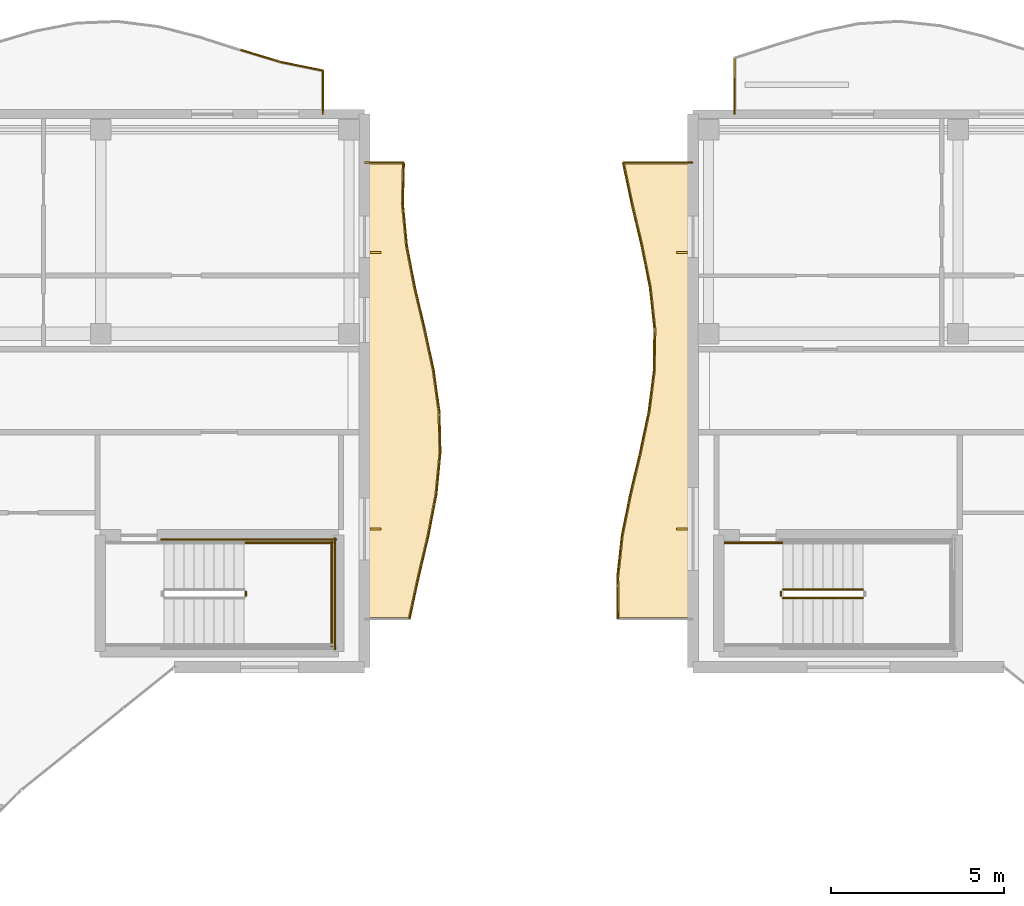
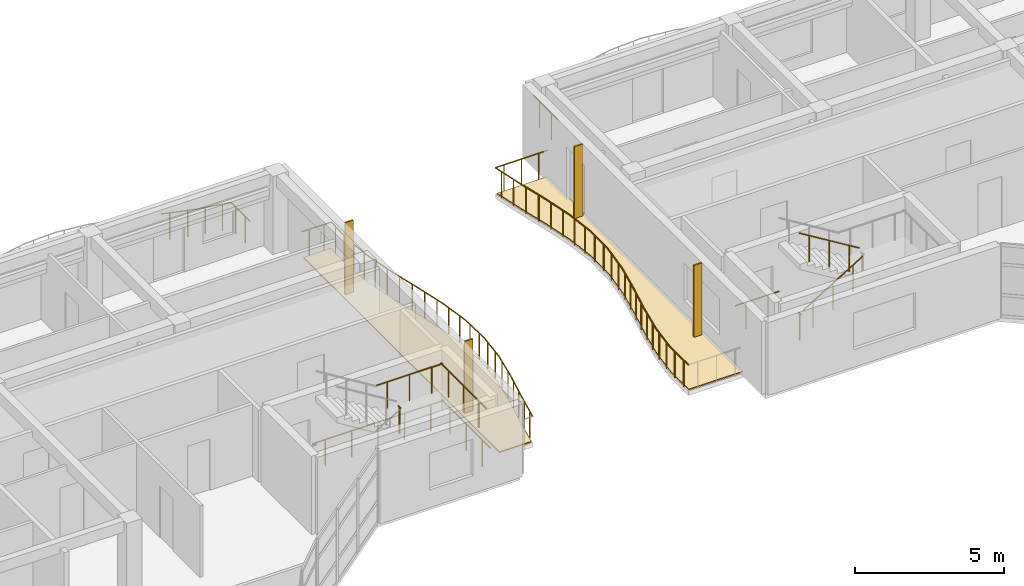
# One storey, part 68 of 71: 37 railings, 4 shading devices, 2 coverings.
"""IFC4 building model written with IfcOpenShell, lengths in metres."""

from ifc_helpers import new_model, si_unit, direction, frame, origin, origin_2d, place, context, subcontext, project, spatial, polyline, rectangle, circle, outline, extrude, material, layer, layer_set, type_object, element, save


model = new_model("IFC4")

# Units and contexts
model_context = context("Model", 3, precision=1e-05, world=origin(), true_north=direction((0.0, 1.0)))
body_context = subcontext(model_context, "Body", "Model", "MODEL_VIEW")
ifc_project = project(units=[si_unit("LENGTHUNIT", "METRE"), si_unit("AREAUNIT", "SQUARE_METRE"), si_unit("VOLUMEUNIT", "CUBIC_METRE"), si_unit("PLANEANGLEUNIT", "RADIAN"), si_unit("MASSUNIT", "GRAM", prefix="KILO")], contexts=[model_context])

# Site, building, storey
site_placement = place(None, origin())
site = spatial("IfcSite", under=ifc_project, at=site_placement, CompositionType="ELEMENT")
building_placement = place(site_placement, origin())
building = spatial("IfcBuilding", under=site, at=building_placement, Name="Keldmere Railside Commons", CompositionType="ELEMENT")
storey_placement = place(building_placement, frame((0.0, 0.0, 20.159912109375)))
storey = spatial("IfcBuildingStorey", under=building, at=storey_placement, Name="L06", CompositionType="ELEMENT", Elevation=20.159912109375)

# Railings
ifc_material_1 = material(Name="Steel F-24 (S235)", Category="steel")
railing_type_1 = type_object("IfcRailingType", Name="Balcony & Terrace Steel Balustrade 1100", PredefinedType="BALUSTRADE", material=ifc_material_1)
railing_1_placement = place(storey_placement, frame((133.9228515625, 117.85791015625, 0.0)))
element("IfcRailing", 1, at=railing_1_placement, inside=storey, type_object=railing_type_1, Name="GR-1 GRD-L06-2533", PredefinedType="BALUSTRADE", context=body_context, shape_type="SweptSolid", body=[
    extrude(circle(Radius=0.02392578125, at=origin_2d()), frame((0.0, 0.0, 1.076171875), z_axis=(0.957793787771, -0.287456188154, 0.0), x_axis=(0.287456188154, 0.957793787771, 0.0)), (0.0, 0.0, 1.0), 1.240966796875),
    extrude(circle(Radius=0.02099609375, at=origin_2d()), frame((0.297119140625, -0.089111328125, 0.0)), (0.0, 0.0, 1.0), 1.048095703125),
    extrude(circle(Radius=0.02099609375, at=origin_2d()), frame((0.891357421875, -0.267578125, 0.0)), (0.0, 0.0, 1.0), 1.048095703125),
])
railing_2_placement = place(storey_placement, frame((135.111328125, 117.501220703125, 0.0)))
element("IfcRailing", 2, at=railing_2_placement, inside=storey, type_object=railing_type_1, Name="GR-1 GRD-L06-2534", PredefinedType="BALUSTRADE", context=body_context, shape_type="SweptSolid", body=[
    extrude(circle(Radius=0.02392578125, at=origin_2d()), frame((0.0, 0.0, 1.076171875), z_axis=(0.980378807714, -0.197122787585, 0.0), x_axis=(0.197122787585, 0.980378807714, 0.0)), (0.0, 0.0, 1.0), 1.21240234375),
    extrude(circle(Radius=0.02099609375, at=origin_2d()), frame((0.297119140625, -0.059814453125, 0.0)), (0.0, 0.0, 1.0), 1.048095703125),
    extrude(circle(Radius=0.02099609375, at=origin_2d()), frame((0.8916015625, -0.17919921875, 0.0)), (0.0, 0.0, 1.0), 1.048095703125),
])
railing_3_placement = place(storey_placement, frame((136.300048828125, 117.26220703125, 0.0)))
element("IfcRailing", 3, at=railing_3_placement, inside=storey, type_object=railing_type_1, Name="GR-1 GRD-L06-2535", PredefinedType="BALUSTRADE", context=body_context, shape_type="SweptSolid", body=[
    extrude(circle(Radius=0.02392578125, at=origin_2d()), frame((0.0, 0.0, 1.076171875), z_axis=(0.0, -1.0, 0.0), x_axis=(1.0, 0.0, 0.0)), (0.0, 0.0, 1.0), 1.26220703125),
    extrude(circle(Radius=0.02099609375, at=origin_2d()), frame((0.0, -0.3154296875, 0.0)), (0.0, 0.0, 1.0), 1.048095703125),
    extrude(circle(Radius=0.02099609375, at=origin_2d()), frame((0.0, -0.94677734375, 0.0)), (0.0, 0.0, 1.0), 1.048095703125),
])
railing_4_placement = place(storey_placement, frame((138.802734375, 101.39990234375, 0.0)))
element("IfcRailing", 4, at=railing_4_placement, inside=storey, type_object=railing_type_1, Name="GR-1 GRD-L06-2592", PredefinedType="BALUSTRADE", context=body_context, shape_type="SweptSolid", body=[
    extrude(circle(Radius=0.02392578125, at=origin_2d()), frame((0.0, 0.0, 1.076171875), z_axis=(0.211538122656, 0.97736974716, 0.0), x_axis=(-0.97736974716, 0.211538122656, 0.0)), (0.0, 0.0, 1.0), 1.22802734375),
    extrude(circle(Radius=0.02099609375, at=origin_2d()), frame((0.06494140625, 0.300048828125, 0.0)), (0.0, 0.0, 1.0), 1.048095703125),
    extrude(circle(Radius=0.02099609375, at=origin_2d()), frame((0.19482421875, 0.900146484375, 0.0)), (0.0, 0.0, 1.0), 1.048095703125),
])
railing_5_placement = place(storey_placement, frame((139.0625, 102.60009765625, 0.0)))
element("IfcRailing", 5, at=railing_5_placement, inside=storey, type_object=railing_type_1, Name="GR-1 GRD-L06-2593", PredefinedType="BALUSTRADE", context=body_context, shape_type="SweptSolid", body=[
    extrude(circle(Radius=0.02392578125, at=origin_2d()), frame((0.0, 0.0, 1.076171875), z_axis=(0.229701506661, 0.973261125206, 0.0), x_axis=(-0.973261125206, 0.229701506661, 0.0)), (0.0, 0.0, 1.0), 1.23291015625),
    extrude(circle(Radius=0.02099609375, at=origin_2d()), frame((0.07080078125, 0.300048828125, 0.0)), (0.0, 0.0, 1.0), 1.048095703125),
    extrude(circle(Radius=0.02099609375, at=origin_2d()), frame((0.21240234375, 0.89990234375, 0.0)), (0.0, 0.0, 1.0), 1.048095703125),
])
railing_6_placement = place(storey_placement, frame((139.345703125, 103.800048828125, 0.0)))
element("IfcRailing", 6, at=railing_6_placement, inside=storey, type_object=railing_type_1, Name="GR-1 GRD-L06-2594", PredefinedType="BALUSTRADE", context=body_context, shape_type="SweptSolid", body=[
    extrude(circle(Radius=0.02392578125, at=origin_2d()), frame((0.0, 0.0, 1.076171875), z_axis=(0.189003006546, 0.981976508638, 0.0), x_axis=(-0.981976508638, 0.189003006546, 0.0)), (0.0, 0.0, 1.0), 1.221923828125),
    extrude(circle(Radius=0.02099609375, at=origin_2d()), frame((0.0576171875, 0.300048828125, 0.0)), (0.0, 0.0, 1.0), 1.048095703125),
    extrude(circle(Radius=0.02099609375, at=origin_2d()), frame((0.17333984375, 0.89990234375, 0.0)), (0.0, 0.0, 1.0), 1.048095703125),
])
railing_7_placement = place(storey_placement, frame((139.57666015625, 105.0, 0.0)))
element("IfcRailing", 7, at=railing_7_placement, inside=storey, type_object=railing_type_1, Name="GR-1 GRD-L06-2595", PredefinedType="BALUSTRADE", context=body_context, shape_type="SweptSolid", body=[
    extrude(circle(Radius=0.02392578125, at=origin_2d()), frame((0.0, 0.0, 1.076171875), z_axis=(0.096596010425, 0.99532367136, 0.0), x_axis=(-0.99532367136, 0.096596010425, 0.0)), (0.0, 0.0, 1.0), 1.20556640625),
    extrude(circle(Radius=0.02099609375, at=origin_2d()), frame((0.029052734375, 0.300048828125, 0.0)), (0.0, 0.0, 1.0), 1.048095703125),
    extrude(circle(Radius=0.02099609375, at=origin_2d()), frame((0.08740234375, 0.89990234375, 0.0)), (0.0, 0.0, 1.0), 1.048095703125),
])
railing_8_placement = place(storey_placement, frame((139.693115234375, 106.199951171875, 0.0)))
element("IfcRailing", 8, at=railing_8_placement, inside=storey, type_object=railing_type_1, Name="GR-1 GRD-L06-2596", PredefinedType="BALUSTRADE", context=body_context, shape_type="SweptSolid", body=[
    extrude(circle(Radius=0.02392578125, at=origin_2d()), frame((0.0, 0.0, 1.076171875), z_axis=(-0.024204503833, 0.999707028081, 0.0), x_axis=(-0.999707028081, -0.024204503833, 0.0)), (0.0, 0.0, 1.0), 1.2001953125),
    extrude(circle(Radius=0.02099609375, at=origin_2d()), frame((-0.00732421875, 0.300048828125, 0.0)), (0.0, 0.0, 1.0), 1.048095703125),
    extrude(circle(Radius=0.02099609375, at=origin_2d()), frame((-0.021728515625, 0.89990234375, 0.0)), (0.0, 0.0, 1.0), 1.048095703125),
])
railing_9_placement = place(storey_placement, frame((139.6640625, 107.39990234375, 0.0)))
element("IfcRailing", 9, at=railing_9_placement, inside=storey, type_object=railing_type_1, Name="GR-1 GRD-L06-2597", PredefinedType="BALUSTRADE", context=body_context, shape_type="SweptSolid", body=[
    extrude(circle(Radius=0.02392578125, at=origin_2d()), frame((0.0, 0.0, 1.076171875), z_axis=(-0.1376122976, 0.990486171306, 0.0), x_axis=(-0.990486171306, -0.1376122976, 0.0)), (0.0, 0.0, 1.0), 1.211669921875),
    extrude(circle(Radius=0.02099609375, at=origin_2d()), frame((-0.041748046875, 0.300048828125, 0.0)), (0.0, 0.0, 1.0), 1.048095703125),
    extrude(circle(Radius=0.02099609375, at=origin_2d()), frame((-0.125, 0.900146484375, 0.0)), (0.0, 0.0, 1.0), 1.048095703125),
])
railing_10_placement = place(storey_placement, frame((139.497314453125, 108.60009765625, 0.0)))
element("IfcRailing", 10, at=railing_10_placement, inside=storey, type_object=railing_type_1, Name="GR-1 GRD-L06-2598", PredefinedType="BALUSTRADE", context=body_context, shape_type="SweptSolid", body=[
    extrude(circle(Radius=0.02392578125, at=origin_2d()), frame((0.0, 0.0, 1.076171875), z_axis=(-0.21176917433, 0.977319710639, 0.0), x_axis=(-0.977319710639, -0.21176917433, 0.0)), (0.0, 0.0, 1.0), 1.227783203125),
    extrude(circle(Radius=0.02099609375, at=origin_2d()), frame((-0.06494140625, 0.300048828125, 0.0)), (0.0, 0.0, 1.0), 1.048095703125),
    extrude(circle(Radius=0.02099609375, at=origin_2d()), frame((-0.195068359375, 0.89990234375, 0.0)), (0.0, 0.0, 1.0), 1.048095703125),
])
railing_11_placement = place(storey_placement, frame((139.2373046875, 109.800048828125, 0.0)))
element("IfcRailing", 11, at=railing_11_placement, inside=storey, type_object=railing_type_1, Name="GR-1 GRD-L06-2599", PredefinedType="BALUSTRADE", context=body_context, shape_type="SweptSolid", body=[
    extrude(circle(Radius=0.02392578125, at=origin_2d()), frame((0.0, 0.0, 1.076171875), z_axis=(-0.229701506661, 0.973261125206, 0.0), x_axis=(-0.973261125206, -0.229701506661, 0.0)), (0.0, 0.0, 1.0), 1.23291015625),
    extrude(circle(Radius=0.02099609375, at=origin_2d()), frame((-0.07080078125, 0.300048828125, 0.0)), (0.0, 0.0, 1.0), 1.048095703125),
    extrude(circle(Radius=0.02099609375, at=origin_2d()), frame((-0.21240234375, 0.89990234375, 0.0)), (0.0, 0.0, 1.0), 1.048095703125),
])
railing_12_placement = place(storey_placement, frame((138.9541015625, 111.0, 0.0)))
element("IfcRailing", 12, at=railing_12_placement, inside=storey, type_object=railing_type_1, Name="GR-1 GRD-L06-2600", PredefinedType="BALUSTRADE", context=body_context, shape_type="SweptSolid", body=[
    extrude(circle(Radius=0.02392578125, at=origin_2d()), frame((0.0, 0.0, 1.076171875), z_axis=(-0.188810340863, 0.982013571792, 0.0), x_axis=(-0.982013571792, -0.188810340863, 0.0)), (0.0, 0.0, 1.0), 1.221923828125),
    extrude(circle(Radius=0.02099609375, at=origin_2d()), frame((-0.0576171875, 0.300048828125, 0.0)), (0.0, 0.0, 1.0), 1.048095703125),
    extrude(circle(Radius=0.02099609375, at=origin_2d()), frame((-0.173095703125, 0.89990234375, 0.0)), (0.0, 0.0, 1.0), 1.048095703125),
])
railing_13_placement = place(storey_placement, frame((138.723388671875, 112.199951171875, 0.0)))
element("IfcRailing", 13, at=railing_13_placement, inside=storey, type_object=railing_type_1, Name="GR-1 GRD-L06-2601", PredefinedType="BALUSTRADE", context=body_context, shape_type="SweptSolid", body=[
    extrude(circle(Radius=0.02392578125, at=origin_2d()), frame((0.0, 0.0, 1.076171875), z_axis=(-0.096596010425, 0.99532367136, 0.0), x_axis=(-0.99532367136, -0.096596010425, 0.0)), (0.0, 0.0, 1.0), 1.20556640625),
    extrude(circle(Radius=0.02099609375, at=origin_2d()), frame((-0.029052734375, 0.300048828125, 0.0)), (0.0, 0.0, 1.0), 1.048095703125),
    extrude(circle(Radius=0.02099609375, at=origin_2d()), frame((-0.08740234375, 0.89990234375, 0.0)), (0.0, 0.0, 1.0), 1.048095703125),
])
railing_14_placement = place(storey_placement, frame((138.60693359375, 113.39990234375, 0.0)))
element("IfcRailing", 14, at=railing_14_placement, inside=storey, type_object=railing_type_1, Name="GR-1 GRD-L06-2602", PredefinedType="BALUSTRADE", context=body_context, shape_type="SweptSolid", body=[
    extrude(circle(Radius=0.02392578125, at=origin_2d()), frame((0.0, 0.0, 1.076171875), z_axis=(0.0241995831, 0.999707147208, 0.0), x_axis=(-0.999707147208, 0.0241995831, 0.0)), (0.0, 0.0, 1.0), 1.200439453125),
    extrude(circle(Radius=0.02099609375, at=origin_2d()), frame((0.00732421875, 0.300048828125, 0.0)), (0.0, 0.0, 1.0), 1.048095703125),
    extrude(circle(Radius=0.02099609375, at=origin_2d()), frame((0.021728515625, 0.900146484375, 0.0)), (0.0, 0.0, 1.0), 1.048095703125),
])
railing_15_placement = place(storey_placement, frame((138.635986328125, 114.60009765625, 0.0)))
element("IfcRailing", 15, at=railing_15_placement, inside=storey, type_object=railing_type_1, Name="GR-1 GRD-L06-2603", PredefinedType="BALUSTRADE", context=body_context, shape_type="SweptSolid", body=[
    extrude(circle(Radius=0.02392578125, at=origin_2d()), frame((0.0, 0.0, 1.076171875), z_axis=(-1.0, 0.0, 0.0), x_axis=(0.0, -1.0, 0.0)), (0.0, 0.0, 1.0), 1.135986328125),
    extrude(circle(Radius=0.02099609375, at=origin_2d()), frame((-0.283935546875, 0.0, 0.0)), (0.0, 0.0, 1.0), 1.048095703125),
    extrude(circle(Radius=0.02099609375, at=origin_2d()), frame((-0.85205078125, 0.0, 0.0)), (0.0, 0.0, 1.0), 1.048095703125),
])
railing_16_placement = place(storey_placement, frame((148.199951171875, 116.0, 0.0)))
element("IfcRailing", 16, at=railing_16_placement, inside=storey, type_object=railing_type_1, Name="GR-1 GRD-L06-3821", PredefinedType="BALUSTRADE", context=body_context, shape_type="SweptSolid", body=[
    extrude(circle(Radius=0.02392578125, at=origin_2d()), frame((0.0, 0.0, 1.076171875), z_axis=(0.0, 1.0, 0.0), x_axis=(-1.0, 0.0, 0.0)), (0.0, 0.0, 1.0), 1.63525390625),
    extrude(circle(Radius=0.02099609375, at=origin_2d()), frame((0.0, 0.40869140625, 0.0)), (0.0, 0.0, 1.0), 1.048095703125),
    extrude(circle(Radius=0.02099609375, at=origin_2d()), frame((0.0, 1.2265625, 0.0)), (0.0, 0.0, 1.0), 1.048095703125),
])
railing_17_placement = place(storey_placement, frame((144.8251953125, 101.39990234375, 0.0)))
element("IfcRailing", 17, at=railing_17_placement, inside=storey, type_object=railing_type_1, Name="GR-1 GRD-L06-3929", PredefinedType="BALUSTRADE", context=body_context, shape_type="SweptSolid", body=[
    extrude(circle(Radius=0.02392578125, at=origin_2d()), frame((0.0, 0.0, 1.076171875), z_axis=(-0.009966958117, 0.999950328639, 0.0), x_axis=(-0.999950328639, -0.009966958117, 0.0)), (0.0, 0.0, 1.0), 1.2001953125),
    extrude(circle(Radius=0.02099609375, at=origin_2d()), frame((-0.0029296875, 0.300048828125, 0.0)), (0.0, 0.0, 1.0), 1.048095703125),
    extrude(circle(Radius=0.02099609375, at=origin_2d()), frame((-0.009033203125, 0.900146484375, 0.0)), (0.0, 0.0, 1.0), 1.048095703125),
])
railing_18_placement = place(storey_placement, frame((144.813232421875, 102.60009765625, 0.0)))
element("IfcRailing", 18, at=railing_18_placement, inside=storey, type_object=railing_type_1, Name="GR-1 GRD-L06-3930", PredefinedType="BALUSTRADE", context=body_context, shape_type="SweptSolid", body=[
    extrude(circle(Radius=0.02392578125, at=origin_2d()), frame((0.0, 0.0, 1.076171875), z_axis=(0.10921059264, 0.994018634863, 0.0), x_axis=(-0.994018634863, 0.10921059264, 0.0)), (0.0, 0.0, 1.0), 1.207275390625),
    extrude(circle(Radius=0.02099609375, at=origin_2d()), frame((0.032958984375, 0.300048828125, 0.0)), (0.0, 0.0, 1.0), 1.048095703125),
    extrude(circle(Radius=0.02099609375, at=origin_2d()), frame((0.098876953125, 0.89990234375, 0.0)), (0.0, 0.0, 1.0), 1.048095703125),
])
railing_19_placement = place(storey_placement, frame((144.945068359375, 103.800048828125, 0.0)))
element("IfcRailing", 19, at=railing_19_placement, inside=storey, type_object=railing_type_1, Name="GR-1 GRD-L06-3931", PredefinedType="BALUSTRADE", context=body_context, shape_type="SweptSolid", body=[
    extrude(circle(Radius=0.02392578125, at=origin_2d()), frame((0.0, 0.0, 1.076171875), z_axis=(0.196307958268, 0.980542291551, 0.0), x_axis=(-0.980542291551, 0.196307958268, 0.0)), (0.0, 0.0, 1.0), 1.223876953125),
    extrude(circle(Radius=0.02099609375, at=origin_2d()), frame((0.06005859375, 0.300048828125, 0.0)), (0.0, 0.0, 1.0), 1.048095703125),
    extrude(circle(Radius=0.02099609375, at=origin_2d()), frame((0.18017578125, 0.89990234375, 0.0)), (0.0, 0.0, 1.0), 1.048095703125),
])
railing_20_placement = place(storey_placement, frame((145.185302734375, 105.0, 0.0)))
element("IfcRailing", 20, at=railing_20_placement, inside=storey, type_object=railing_type_1, Name="GR-1 GRD-L06-3932", PredefinedType="BALUSTRADE", context=body_context, shape_type="SweptSolid", body=[
    extrude(circle(Radius=0.02392578125, at=origin_2d()), frame((0.0, 0.0, 1.076171875), z_axis=(0.230639039041, 0.973039379301, 0.0), x_axis=(-0.973039379301, 0.230639039041, 0.0)), (0.0, 0.0, 1.0), 1.233154296875),
    extrude(circle(Radius=0.02099609375, at=origin_2d()), frame((0.071044921875, 0.300048828125, 0.0)), (0.0, 0.0, 1.0), 1.048095703125),
    extrude(circle(Radius=0.02099609375, at=origin_2d()), frame((0.21337890625, 0.89990234375, 0.0)), (0.0, 0.0, 1.0), 1.048095703125),
])
railing_21_placement = place(storey_placement, frame((145.4697265625, 106.199951171875, 0.0)))
element("IfcRailing", 21, at=railing_21_placement, inside=storey, type_object=railing_type_1, Name="GR-1 GRD-L06-3933", PredefinedType="BALUSTRADE", context=body_context, shape_type="SweptSolid", body=[
    extrude(circle(Radius=0.02392578125, at=origin_2d()), frame((0.0, 0.0, 1.076171875), z_axis=(0.205869999473, 0.978579349525, 0.0), x_axis=(-0.978579349525, 0.205869999473, 0.0)), (0.0, 0.0, 1.0), 1.226318359375),
    extrude(circle(Radius=0.02099609375, at=origin_2d()), frame((0.06298828125, 0.300048828125, 0.0)), (0.0, 0.0, 1.0), 1.048095703125),
    extrude(circle(Radius=0.02099609375, at=origin_2d()), frame((0.189453125, 0.89990234375, 0.0)), (0.0, 0.0, 1.0), 1.048095703125),
])
railing_22_placement = place(storey_placement, frame((145.72216796875, 107.39990234375, 0.0)))
element("IfcRailing", 22, at=railing_22_placement, inside=storey, type_object=railing_type_1, Name="GR-1 GRD-L06-3934", PredefinedType="BALUSTRADE", context=body_context, shape_type="SweptSolid", body=[
    extrude(circle(Radius=0.02392578125, at=origin_2d()), frame((0.0, 0.0, 1.076171875), z_axis=(0.126120690706, 0.992014904815, 0.0), x_axis=(-0.992014904815, 0.126120690706, 0.0)), (0.0, 0.0, 1.0), 1.2099609375),
    extrude(circle(Radius=0.02099609375, at=origin_2d()), frame((0.0380859375, 0.300048828125, 0.0)), (0.0, 0.0, 1.0), 1.048095703125),
    extrude(circle(Radius=0.02099609375, at=origin_2d()), frame((0.114501953125, 0.900146484375, 0.0)), (0.0, 0.0, 1.0), 1.048095703125),
])
railing_23_placement = place(storey_placement, frame((145.874755859375, 108.60009765625, 0.0)))
element("IfcRailing", 23, at=railing_23_placement, inside=storey, type_object=railing_type_1, Name="GR-1 GRD-L06-3935", PredefinedType="BALUSTRADE", context=body_context, shape_type="SweptSolid", body=[
    extrude(circle(Radius=0.02392578125, at=origin_2d()), frame((0.0, 0.0, 1.076171875), z_axis=(0.009968985781, 0.999950308427, 0.0), x_axis=(-0.999950308427, 0.009968985781, 0.0)), (0.0, 0.0, 1.0), 1.199951171875),
    extrude(circle(Radius=0.02099609375, at=origin_2d()), frame((0.0029296875, 0.300048828125, 0.0)), (0.0, 0.0, 1.0), 1.048095703125),
    extrude(circle(Radius=0.02099609375, at=origin_2d()), frame((0.009033203125, 0.89990234375, 0.0)), (0.0, 0.0, 1.0), 1.048095703125),
])
railing_24_placement = place(storey_placement, frame((145.88671875, 109.800048828125, 0.0)))
element("IfcRailing", 24, at=railing_24_placement, inside=storey, type_object=railing_type_1, Name="GR-1 GRD-L06-3936", PredefinedType="BALUSTRADE", context=body_context, shape_type="SweptSolid", body=[
    extrude(circle(Radius=0.02392578125, at=origin_2d()), frame((0.0, 0.0, 1.076171875), z_axis=(-0.10921059264, 0.994018634863, 0.0), x_axis=(-0.994018634863, -0.10921059264, 0.0)), (0.0, 0.0, 1.0), 1.207275390625),
    extrude(circle(Radius=0.02099609375, at=origin_2d()), frame((-0.032958984375, 0.300048828125, 0.0)), (0.0, 0.0, 1.0), 1.048095703125),
    extrude(circle(Radius=0.02099609375, at=origin_2d()), frame((-0.098876953125, 0.89990234375, 0.0)), (0.0, 0.0, 1.0), 1.048095703125),
])
railing_25_placement = place(storey_placement, frame((145.7548828125, 111.0, 0.0)))
element("IfcRailing", 25, at=railing_25_placement, inside=storey, type_object=railing_type_1, Name="GR-1 GRD-L06-3937", PredefinedType="BALUSTRADE", context=body_context, shape_type="SweptSolid", body=[
    extrude(circle(Radius=0.02392578125, at=origin_2d()), frame((0.0, 0.0, 1.076171875), z_axis=(-0.196307958268, 0.980542291551, 0.0), x_axis=(-0.980542291551, -0.196307958268, 0.0)), (0.0, 0.0, 1.0), 1.223876953125),
    extrude(circle(Radius=0.02099609375, at=origin_2d()), frame((-0.06005859375, 0.300048828125, 0.0)), (0.0, 0.0, 1.0), 1.048095703125),
    extrude(circle(Radius=0.02099609375, at=origin_2d()), frame((-0.18017578125, 0.89990234375, 0.0)), (0.0, 0.0, 1.0), 1.048095703125),
])
railing_26_placement = place(storey_placement, frame((145.5146484375, 112.199951171875, 0.0)))
element("IfcRailing", 26, at=railing_26_placement, inside=storey, type_object=railing_type_1, Name="GR-1 GRD-L06-3938", PredefinedType="BALUSTRADE", context=body_context, shape_type="SweptSolid", body=[
    extrude(circle(Radius=0.02392578125, at=origin_2d()), frame((0.0, 0.0, 1.076171875), z_axis=(-0.230639039041, 0.973039379301, 0.0), x_axis=(-0.973039379301, -0.230639039041, 0.0)), (0.0, 0.0, 1.0), 1.233154296875),
    extrude(circle(Radius=0.02099609375, at=origin_2d()), frame((-0.071044921875, 0.300048828125, 0.0)), (0.0, 0.0, 1.0), 1.048095703125),
    extrude(circle(Radius=0.02099609375, at=origin_2d()), frame((-0.21337890625, 0.89990234375, 0.0)), (0.0, 0.0, 1.0), 1.048095703125),
])
railing_27_placement = place(storey_placement, frame((145.230224609375, 113.39990234375, 0.0)))
element("IfcRailing", 27, at=railing_27_placement, inside=storey, type_object=railing_type_1, Name="GR-1 GRD-L06-3939", PredefinedType="BALUSTRADE", context=body_context, shape_type="SweptSolid", body=[
    extrude(circle(Radius=0.02392578125, at=origin_2d()), frame((0.0, 0.0, 1.076171875), z_axis=(-0.205829896285, 0.978587785431, 0.0), x_axis=(-0.978587785431, -0.205829896285, 0.0)), (0.0, 0.0, 1.0), 1.2265625),
    extrude(circle(Radius=0.02099609375, at=origin_2d()), frame((-0.06298828125, 0.300048828125, 0.0)), (0.0, 0.0, 1.0), 1.048095703125),
    extrude(circle(Radius=0.02099609375, at=origin_2d()), frame((-0.189453125, 0.900146484375, 0.0)), (0.0, 0.0, 1.0), 1.048095703125),
])
railing_28_placement = place(storey_placement, frame((144.977783203125, 114.60009765625, 0.0)))
element("IfcRailing", 28, at=railing_28_placement, inside=storey, type_object=railing_type_1, Name="GR-1 GRD-L06-3940", PredefinedType="BALUSTRADE", context=body_context, shape_type="SweptSolid", body=[
    extrude(circle(Radius=0.02392578125, at=origin_2d()), frame((0.0, 0.0, 1.076171875), z_axis=(1.0, 0.0, 0.0), x_axis=(0.0, 1.0, 0.0)), (0.0, 0.0, 1.0), 2.022216796875),
    extrude(circle(Radius=0.02099609375, at=origin_2d()), frame((0.3369140625, 0.0, 0.0)), (0.0, 0.0, 1.0), 1.048095703125),
    extrude(circle(Radius=0.02099609375, at=origin_2d()), frame((1.01123046875, 0.0, 0.0)), (0.0, 0.0, 1.0), 1.048095703125),
    extrude(circle(Radius=0.02099609375, at=origin_2d()), frame((1.68505859375, 0.0, 0.0)), (0.0, 0.0, 1.0), 1.048095703125),
])

# Shading devices
ifc_layer_1 = layer(ifc_material_1, 0.06005859375, Name="East-West Vertical Brise-Soleil Fin 320x60")
ifc_layer_set_1 = layer_set([ifc_layer_1], Name="Steel F-24 (S235)")
shading_device_type = type_object("IfcShadingDeviceType", Name="East-West Vertical Brise-Soleil Fin 320x60", PredefinedType="USERDEFINED", material=ifc_layer_set_1)
for number, where, z_axis, x_axis, name in (
    (29, (137.818115234375, 112.0, 0.0), (0.0, 0.0, 1.0), (1.0, 0.0, 0.0), "FIN-1 Solar Fin 027"),
    (30, (137.818115234375, 104.0, 0.0), (0.0, 0.0, 1.0), (1.0, 0.0, 0.0), "FIN-1 Solar Fin 028"),
    (31, (146.681884765625, 104.0, 0.0), (0.0, 0.0, 1.0), (1.0, 0.0, 0.0), "FIN-1 Solar Fin 035"),
    (32, (146.681884765625, 112.0, 0.0), (0.0, 0.0, 1.0), (1.0, 0.0, 0.0), "FIN-1 Solar Fin 036"),
):
    element("IfcShadingDevice", number, at=place(storey_placement, frame(where, z_axis=z_axis, x_axis=x_axis)), inside=storey, type_object=shading_device_type, Name=name, ObjectType="FIN", PredefinedType="USERDEFINED", context=body_context, shape_type="SweptSolid", body=[
        extrude(rectangle(XDim=0.320068359375, YDim=0.06005859375, at=origin_2d()), origin(), (0.0, 0.0, 1.0), 2.97998046875),
    ])

# Railings
railing_type_2 = type_object("IfcRailingType", Name="Stair Well Steel Guardrail 1100", PredefinedType="BALUSTRADE", material=ifc_material_1)
railing_29_placement = place(storey_placement, frame((134.070068359375, 102.050048828125, 1.60009765625)))
element("IfcRailing", 33, at=railing_29_placement, inside=storey, type_object=railing_type_2, Name="L06 ST-B2 stair guard 2", PredefinedType="BALUSTRADE", context=body_context, shape_type="SweptSolid", body=[
    extrude(circle(Radius=0.02392578125, at=origin_2d()), frame((0.0, 0.0, 1.076171875), z_axis=(0.0, 1.0, 0.0), x_axis=(-1.0, 0.0, 0.0)), (0.0, 0.0, 1.0), 0.14990234375),
    extrude(circle(Radius=0.02099609375, at=origin_2d()), frame((0.0, 0.074951171875, 0.0)), (0.0, 0.0, 1.0), 1.048095703125),
])
railing_30_placement = place(storey_placement, frame((134.02001953125, 103.60009765625, 1.60009765625)))
element("IfcRailing", 34, at=railing_30_placement, inside=storey, type_object=railing_type_2, Name="L06 ST-B2 stair guard 4", PredefinedType="BALUSTRADE", context=body_context, shape_type="SweptSolid", body=[
    extrude(circle(Radius=0.02392578125, at=origin_2d()), frame((0.0, 0.0, 1.076171875), z_axis=(1.0, 0.0, 0.0), x_axis=(0.0, 1.0, 0.0)), (0.0, 0.0, 1.0), 2.580078125),
    extrude(circle(Radius=0.02099609375, at=origin_2d()), frame((0.429931640625, 0.0, 0.0)), (0.0, 0.0, 1.0), 1.048095703125),
    extrude(circle(Radius=0.02099609375, at=origin_2d()), frame((1.2900390625, 0.0, 0.0)), (0.0, 0.0, 1.0), 1.048095703125),
    extrude(circle(Radius=0.02099609375, at=origin_2d()), frame((2.150146484375, 0.0, 0.0)), (0.0, 0.0, 1.0), 1.048095703125),
])
railing_31_placement = place(storey_placement, frame((136.550048828125, 100.60009765625, 1.60009765625)))
element("IfcRailing", 35, at=railing_31_placement, inside=storey, type_object=railing_type_2, Name="L06 ST-B2 stair guard 5", PredefinedType="BALUSTRADE", context=body_context, shape_type="SweptSolid", body=[
    extrude(circle(Radius=0.02392578125, at=origin_2d()), frame((0.0, 0.0, 1.076171875), z_axis=(0.0, 1.0, 0.0), x_axis=(-1.0, 0.0, 0.0)), (0.0, 0.0, 1.0), 3.0498046875),
    extrude(circle(Radius=0.02099609375, at=origin_2d()), frame((0.0, 0.50830078125, 0.0)), (0.0, 0.0, 1.0), 1.048095703125),
    extrude(circle(Radius=0.02099609375, at=origin_2d()), frame((0.0, 1.52490234375, 0.0)), (0.0, 0.0, 1.0), 1.048095703125),
    extrude(circle(Radius=0.02099609375, at=origin_2d()), frame((0.0, 2.54150390625, 0.0)), (0.0, 0.0, 1.0), 1.048095703125),
])
railing_32_placement = place(storey_placement, frame((131.60009765625, 103.699951171875, 0.0)))
element("IfcRailing", 36, at=railing_32_placement, inside=storey, type_object=railing_type_2, Name="L06 ST-B2 stair guard 11", PredefinedType="BALUSTRADE", context=body_context, shape_type="SweptSolid", body=[
    extrude(circle(Radius=0.02392578125, at=origin_2d()), frame((0.0, 0.0, 1.076171875), z_axis=(1.0, 0.0, 0.0), x_axis=(0.0, 1.0, 0.0)), (0.0, 0.0, 1.0), 5.099853515625),
    extrude(circle(Radius=0.02099609375, at=origin_2d()), frame((0.510009765625, 0.0, 0.0)), (0.0, 0.0, 1.0), 1.048095703125),
    extrude(circle(Radius=0.02099609375, at=origin_2d()), frame((1.530029296875, 0.0, 0.0)), (0.0, 0.0, 1.0), 1.048095703125),
    extrude(circle(Radius=0.02099609375, at=origin_2d()), frame((2.5498046875, 0.0, 0.0)), (0.0, 0.0, 1.0), 1.048095703125),
    extrude(circle(Radius=0.02099609375, at=origin_2d()), frame((3.56982421875, 0.0, 0.0)), (0.0, 0.0, 1.0), 1.048095703125),
    extrude(circle(Radius=0.02099609375, at=origin_2d()), frame((4.58984375, 0.0, 0.0)), (0.0, 0.0, 1.0), 1.048095703125),
])
railing_33_placement = place(storey_placement, frame((136.64990234375, 100.5, 0.0)))
element("IfcRailing", 37, at=railing_33_placement, inside=storey, type_object=railing_type_2, Name="L06 ST-B2 stair guard 12", PredefinedType="BALUSTRADE", context=body_context, shape_type="SweptSolid", body=[
    extrude(circle(Radius=0.02392578125, at=origin_2d()), frame((0.0, 0.0, 1.076171875), z_axis=(0.0, 1.0, 0.0), x_axis=(-1.0, 0.0, 0.0)), (0.0, 0.0, 1.0), 3.25),
    extrude(circle(Radius=0.02099609375, at=origin_2d()), frame((0.0, 0.541748046875, 0.0)), (0.0, 0.0, 1.0), 1.048095703125),
    extrude(circle(Radius=0.02099609375, at=origin_2d()), frame((0.0, 1.625, 0.0)), (0.0, 0.0, 1.0), 1.048095703125),
    extrude(circle(Radius=0.02099609375, at=origin_2d()), frame((0.0, 2.708251953125, 0.0)), (0.0, 0.0, 1.0), 1.048095703125),
])
railing_34_placement = place(storey_placement, frame((149.60009765625, 102.0, 0.177978515625)))
element("IfcRailing", 38, at=railing_34_placement, inside=storey, type_object=railing_type_2, Name="L06 ST-A2 stair guard 1", PredefinedType="BALUSTRADE", context=body_context, shape_type="SweptSolid", body=[
    extrude(circle(Radius=0.02392578125, at=origin_2d()), frame((0.0, 0.0, 1.076171875), z_axis=(0.85255353654, 0.0, 0.522639902162), x_axis=(0.0, 1.0, 0.0)), (0.0, 0.0, 1.0), 2.720947265625),
    extrude(circle(Radius=0.02099609375, at=origin_2d()), frame((0.38671875, 0.0, 0.237060546875)), (0.0, 0.0, 1.0), 1.048095703125),
    extrude(circle(Radius=0.02099609375, at=origin_2d()), frame((1.159912109375, 0.0, 0.7109375)), (0.0, 0.0, 1.0), 1.048095703125),
    extrude(circle(Radius=0.02099609375, at=origin_2d()), frame((1.93310546875, 0.0, 1.18505859375)), (0.0, 0.0, 1.0), 1.048095703125),
])
railing_35_placement = place(storey_placement, frame((151.919921875, 102.25, 1.77783203125)))
element("IfcRailing", 39, at=railing_35_placement, inside=storey, type_object=railing_type_2, Name="L06 ST-A2 stair guard 6", PredefinedType="BALUSTRADE", context=body_context, shape_type="SweptSolid", body=[
    extrude(circle(Radius=0.02392578125, at=origin_2d()), frame((0.0, 0.0, 1.076171875), z_axis=(-0.852513557019, 0.0, 0.522705112944), x_axis=(0.0, -1.0, 0.0)), (0.0, 0.0, 1.0), 2.72119140625),
    extrude(circle(Radius=0.02099609375, at=origin_2d()), frame((-0.38671875, 0.0, 0.237060546875)), (0.0, 0.0, 1.0), 1.048095703125),
    extrude(circle(Radius=0.02099609375, at=origin_2d()), frame((-1.159912109375, 0.0, 0.711181640625)), (0.0, 0.0, 1.0), 1.048095703125),
    extrude(circle(Radius=0.02099609375, at=origin_2d()), frame((-1.93310546875, 0.0, 1.185302734375)), (0.0, 0.0, 1.0), 1.048095703125),
])
railing_36_placement = place(storey_placement, frame((149.550048828125, 102.050048828125, 0.0)))
element("IfcRailing", 40, at=railing_36_placement, inside=storey, type_object=railing_type_2, Name="L06 ST-A2 stair guard 7", PredefinedType="BALUSTRADE", context=body_context, shape_type="SweptSolid", body=[
    extrude(circle(Radius=0.02392578125, at=origin_2d()), frame((0.0, 0.0, 1.076171875), z_axis=(0.0, 1.0, 0.0), x_axis=(-1.0, 0.0, 0.0)), (0.0, 0.0, 1.0), 0.14990234375),
    extrude(circle(Radius=0.02099609375, at=origin_2d()), frame((0.0, 0.074951171875, 0.0)), (0.0, 0.0, 1.0), 1.048095703125),
])
railing_37_placement = place(storey_placement, frame((147.89990234375, 103.60009765625, 0.0)))
element("IfcRailing", 41, at=railing_37_placement, inside=storey, type_object=railing_type_2, Name="L06 ST-A2 stair guard 9", PredefinedType="BALUSTRADE", context=body_context, shape_type="SweptSolid", body=[
    extrude(circle(Radius=0.02392578125, at=origin_2d()), frame((0.0, 0.0, 1.076171875), z_axis=(1.0, 0.0, 0.0), x_axis=(0.0, 1.0, 0.0)), (0.0, 0.0, 1.0), 1.7001953125),
    extrude(circle(Radius=0.02099609375, at=origin_2d()), frame((0.425048828125, 0.0, 0.0)), (0.0, 0.0, 1.0), 1.048095703125),
    extrude(circle(Radius=0.02099609375, at=origin_2d()), frame((1.275146484375, 0.0, 0.0)), (0.0, 0.0, 1.0), 1.048095703125),
])

# Coverings
ifc_material_2 = material(Name="White Precast Concrete C35/45", Category="concrete")
ifc_layer_2 = layer(ifc_material_2, 0.044921875, Name="White Architectural Balcony Ribbon Cladding 45")
ifc_layer_set_2 = layer_set([ifc_layer_2], Name="White Precast Concrete C35/45")
covering_type = type_object("IfcCoveringType", Name="White Architectural Balcony Ribbon Cladding 45", PredefinedType="FLOORING", material=ifc_layer_set_2)
covering_1_placement = place(storey_placement, origin())
element("IfcCovering", 42, at=covering_1_placement, inside=storey, type_object=covering_type, Name="CLG-WB B L06 WE White Balcony Ribbon", PredefinedType="FLOORING", context=body_context, shape_type="SweptSolid", body=[
    extrude(outline(polyline([(139.0234375, 102.6083984375), (139.023681640625, 102.609130859375), (139.306640625, 103.808349609375), (139.537109375, 105.005615234375), (139.653076171875, 106.201416015625), (139.6240234375, 107.396728515625), (139.457763671875, 108.593017578125), (139.198486328125, 109.791259765625), (138.915283203125, 110.99072265625), (138.914794921875, 110.992431640625), (138.68408203125, 112.1923828125), (138.68359375, 112.196044921875), (138.567138671875, 113.39599609375), (138.56689453125, 113.40087890625), (138.594970703125, 114.56005859375), (137.5400390625, 114.56005859375), (137.5400390625, 101.43994140625), (138.7705078125, 101.43994140625), (139.0234375, 102.6083984375)])), origin(), (0.0, 0.0, 1.0), 0.045166015625),
])
covering_2_placement = place(storey_placement, origin())
element("IfcCovering", 43, at=covering_2_placement, inside=storey, type_object=covering_type, Name="CLG-WB A L06 WW White Balcony Ribbon", PredefinedType="FLOORING", context=body_context, shape_type="SweptSolid", body=[
    extrude(outline(polyline([(146.9599609375, 114.56005859375), (145.027099609375, 114.56005859375), (145.269287109375, 113.40869140625), (145.553466796875, 112.209228515625), (145.5537109375, 112.2080078125), (145.794189453125, 111.0078125), (145.794921875, 111.00439453125), (145.926513671875, 109.804443359375), (145.9267578125, 109.799560546875), (145.914794921875, 108.599609375), (145.91455078125, 108.594970703125), (145.761962890625, 107.39501953125), (145.76123046875, 107.391845703125), (145.5087890625, 106.19189453125), (145.5087890625, 106.19091796875), (145.224609375, 104.991455078125), (144.984619140625, 103.7939453125), (144.853271484375, 102.597900390625), (144.86474609375, 101.43994140625), (146.9599609375, 101.43994140625), (146.9599609375, 114.56005859375)])), origin(), (0.0, 0.0, 1.0), 0.045166015625),
])

save(model, "model.ifc")
